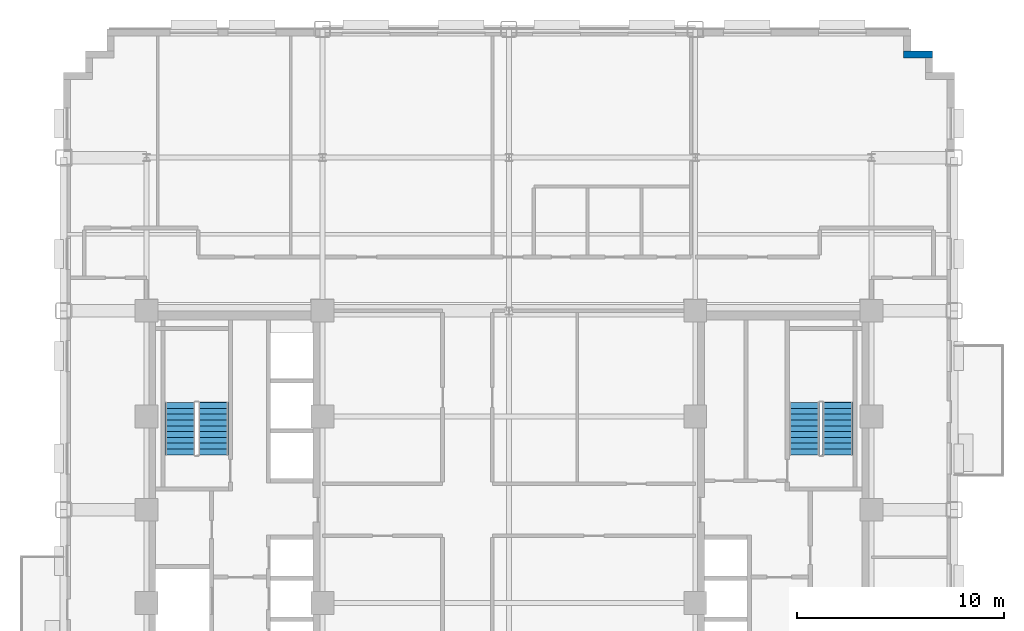
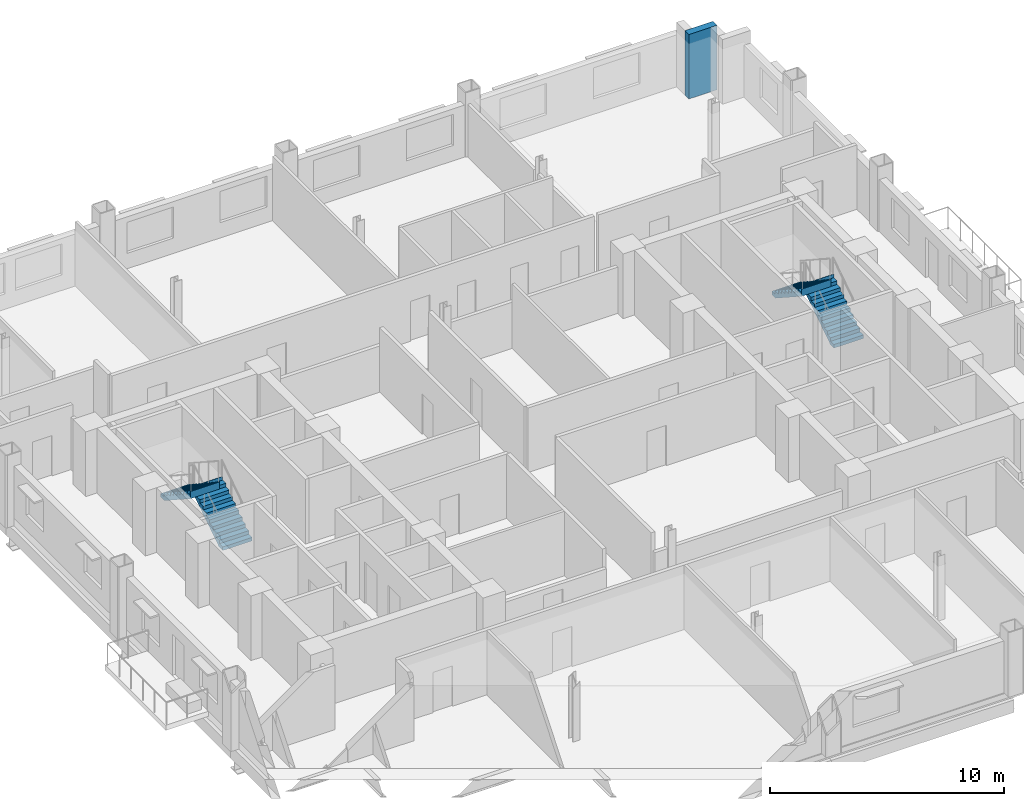
# One storey, part 10 of 14: 4 stair flights, 1 wall, 2 elements without a shape of their own.
"""IFC4 building model written with IfcOpenShell, lengths in metres."""

from ifc_helpers import new_model, si_unit, direction, frame, frame_2d, origin, place, context, subcontext, project, spatial, polyline, rectangle, outline, extrude, material, layer, layer_set, type_object, element, aggregate, save


model = new_model("IFC4")

# Units and contexts
model_context = context("Model", 3, precision=1e-05, world=origin(), true_north=direction((0.0, 1.0)))
body_context = subcontext(model_context, "Body", "Model", "MODEL_VIEW")
ifc_project = project(units=[si_unit("LENGTHUNIT", "METRE"), si_unit("AREAUNIT", "SQUARE_METRE"), si_unit("VOLUMEUNIT", "CUBIC_METRE"), si_unit("PLANEANGLEUNIT", "RADIAN"), si_unit("MASSUNIT", "GRAM", prefix="KILO")], contexts=[model_context])

# Site, building, storey
site_placement = place(None, origin())
site = spatial("IfcSite", under=ifc_project, at=site_placement, CompositionType="ELEMENT")
building_placement = place(site_placement, origin())
building = spatial("IfcBuilding", under=site, at=building_placement, Name="Nuvemarco Arch Tower", CompositionType="ELEMENT")
storey_placement = place(building_placement, frame((0.0, 0.0, 56.800048828125)))
storey = spatial("IfcBuildingStorey", under=building, at=storey_placement, Name="L14", CompositionType="ELEMENT", Elevation=56.800048828125)

# Wall
ifc_material = material(Name="Precast concrete C45/55", Category="concrete")
ifc_layer = layer(ifc_material, 0.340087890625, Name="EW-LOW-340")
ifc_layer_set = layer_set([ifc_layer], Name="Precast concrete C45/55")
wall_type = type_object("IfcWallType", Name="EW-LOW-340", PredefinedType="STANDARD", material=ifc_layer_set)
wall_placement = place(storey_placement, frame((19.06005859375, 21.97998046875, 0.0), z_axis=(0.0, 0.0, 1.0), x_axis=(1.0, 0.0, 0.0)))
element("IfcWall", 1, at=wall_placement, inside=storey, type_object=wall_type, Name="L14 exterior precast facade wall 9", PredefinedType="STANDARD", context=body_context, shape_type="SweptSolid", body=[
    extrude(rectangle(XDim=1.389892578125, YDim=0.340087890625, at=frame_2d((0.69482421875, 0.0))), origin(), (0.0, 0.0, 1.0), 3.35986328125),
])

# Stair, stair flights
stair_type = type_object("IfcStairType", Name="ST-CORE-20R", PredefinedType="HALF_TURN_STAIR", material=ifc_material)
stair_1_placement = place(storey_placement, origin())
stair_1 = element("IfcStair", 2, at=stair_1_placement, inside=storey, type_object=stair_type, Name="L14 Protected Exit Stair ST-1", PredefinedType="HALF_TURN_STAIR")
stair_flight_type = type_object("IfcStairFlightType", Name="SF-CORE-20R", PredefinedType="STRAIGHT", material=ifc_material)
stair_flight_1_placement = place(storey_placement, frame((-14.264892578125, 2.64990234375, 0.0), z_axis=(0.0, 0.0, 1.0), x_axis=(0.0, 1.0, 0.0)))
stair_flight_1 = element("IfcStairFlight", 3, at=stair_flight_1_placement, type_object=stair_flight_type, Name="ST-20R flight 1", NumberOfRisers=10, NumberOfTreads=9, PredefinedType="STRAIGHT", RiserHeight=0.1825, TreadLength=0.28, context=body_context, shape_type="SweptSolid", body=[
    extrude(outline(polyline([(0.0, 0.0), (0.0, 0.1826171875), (0.280029296875, 0.1826171875), (0.280029296875, 0.364990234375), (0.56005859375, 0.364990234375), (0.56005859375, 0.547607421875), (0.840087890625, 0.547607421875), (0.840087890625, 0.72998046875), (1.1201171875, 0.72998046875), (1.1201171875, 0.91259765625), (1.39990234375, 0.91259765625), (1.39990234375, 1.094970703125), (1.679931640625, 1.094970703125), (1.679931640625, 1.277587890625), (1.9599609375, 1.277587890625), (1.9599609375, 1.4599609375), (2.239990234375, 1.4599609375), (2.239990234375, 1.642578125), (2.52001953125, 1.642578125), (2.52001953125, 1.824951171875), (2.5400390625, 1.824951171875), (2.5400390625, 1.45166015625), (0.312744140625, 0.0), (0.0, 0.0)])), frame((0.0, 0.72509765625, 0.0), z_axis=(0.0, -1.0, 0.0), x_axis=(1.0, 0.0, 0.0)), (0.0, 0.0, 1.0), 1.449951171875),
])
stair_flight_2_placement = place(storey_placement, frame((-15.875, 5.169921875, 1.824951171875), z_axis=(0.0, 0.0, 1.0), x_axis=(0.0, -1.0, 0.0)))
stair_flight_2 = element("IfcStairFlight", 4, at=stair_flight_2_placement, type_object=stair_flight_type, Name="ST-20R flight 2", NumberOfRisers=10, NumberOfTreads=9, PredefinedType="STRAIGHT", RiserHeight=0.1825, TreadLength=0.28, context=body_context, shape_type="SweptSolid", body=[
    extrude(outline(polyline([(0.0, 0.0), (0.0, 0.1826171875), (0.280029296875, 0.1826171875), (0.280029296875, 0.364990234375), (0.56005859375, 0.364990234375), (0.56005859375, 0.547607421875), (0.840087890625, 0.547607421875), (0.840087890625, 0.72998046875), (1.1201171875, 0.72998046875), (1.1201171875, 0.91259765625), (1.39990234375, 0.91259765625), (1.39990234375, 1.094970703125), (1.679931640625, 1.094970703125), (1.679931640625, 1.277587890625), (1.9599609375, 1.277587890625), (1.9599609375, 1.4599609375), (2.239990234375, 1.4599609375), (2.239990234375, 1.642578125), (2.52001953125, 1.642578125), (2.52001953125, 1.824951171875), (2.5400390625, 1.824951171875), (2.5400390625, 1.45166015625), (0.312744140625, 0.0), (0.0, 0.0)])), frame((0.0, 0.72509765625, 0.0), z_axis=(0.0, -1.0, 0.0), x_axis=(1.0, 0.0, 0.0)), (0.0, 0.0, 1.0), 1.449951171875),
])
aggregate(stair_1, [stair_flight_1, stair_flight_2])

stair_2_placement = place(storey_placement, origin())
stair_2 = element("IfcStair", 5, at=stair_2_placement, inside=storey, type_object=stair_type, Name="L14 Protected Exit Stair ST-2", PredefinedType="HALF_TURN_STAIR")
stair_flight_3_placement = place(storey_placement, frame((15.875, 2.64990234375, 0.0), z_axis=(0.0, 0.0, 1.0), x_axis=(0.0, 1.0, 0.0)))
stair_flight_3 = element("IfcStairFlight", 6, at=stair_flight_3_placement, type_object=stair_flight_type, Name="ST-20R flight 1", NumberOfRisers=10, NumberOfTreads=9, PredefinedType="STRAIGHT", RiserHeight=0.1825, TreadLength=0.28, context=body_context, shape_type="SweptSolid", body=[
    extrude(outline(polyline([(0.0, 0.0), (0.0, 0.1826171875), (0.280029296875, 0.1826171875), (0.280029296875, 0.364990234375), (0.56005859375, 0.364990234375), (0.56005859375, 0.547607421875), (0.840087890625, 0.547607421875), (0.840087890625, 0.72998046875), (1.1201171875, 0.72998046875), (1.1201171875, 0.91259765625), (1.39990234375, 0.91259765625), (1.39990234375, 1.094970703125), (1.679931640625, 1.094970703125), (1.679931640625, 1.277587890625), (1.9599609375, 1.277587890625), (1.9599609375, 1.4599609375), (2.239990234375, 1.4599609375), (2.239990234375, 1.642578125), (2.52001953125, 1.642578125), (2.52001953125, 1.824951171875), (2.5400390625, 1.824951171875), (2.5400390625, 1.45166015625), (0.312744140625, 0.0), (0.0, 0.0)])), frame((0.0, 0.72509765625, 0.0), z_axis=(0.0, -1.0, 0.0), x_axis=(1.0, 0.0, 0.0)), (0.0, 0.0, 1.0), 1.449951171875),
])
stair_flight_4_placement = place(storey_placement, frame((14.264892578125, 5.169921875, 1.824951171875), z_axis=(0.0, 0.0, 1.0), x_axis=(0.0, -1.0, 0.0)))
stair_flight_4 = element("IfcStairFlight", 7, at=stair_flight_4_placement, type_object=stair_flight_type, Name="ST-20R flight 2", NumberOfRisers=10, NumberOfTreads=9, PredefinedType="STRAIGHT", RiserHeight=0.1825, TreadLength=0.28, context=body_context, shape_type="SweptSolid", body=[
    extrude(outline(polyline([(0.0, 0.0), (0.0, 0.1826171875), (0.280029296875, 0.1826171875), (0.280029296875, 0.364990234375), (0.56005859375, 0.364990234375), (0.56005859375, 0.547607421875), (0.840087890625, 0.547607421875), (0.840087890625, 0.72998046875), (1.1201171875, 0.72998046875), (1.1201171875, 0.91259765625), (1.39990234375, 0.91259765625), (1.39990234375, 1.094970703125), (1.679931640625, 1.094970703125), (1.679931640625, 1.277587890625), (1.9599609375, 1.277587890625), (1.9599609375, 1.4599609375), (2.239990234375, 1.4599609375), (2.239990234375, 1.642578125), (2.52001953125, 1.642578125), (2.52001953125, 1.824951171875), (2.5400390625, 1.824951171875), (2.5400390625, 1.45166015625), (0.312744140625, 0.0), (0.0, 0.0)])), frame((0.0, 0.72509765625, 0.0), z_axis=(0.0, -1.0, 0.0), x_axis=(1.0, 0.0, 0.0)), (0.0, 0.0, 1.0), 1.449951171875),
])
aggregate(stair_2, [stair_flight_3, stair_flight_4])

save(model, "model.ifc")
